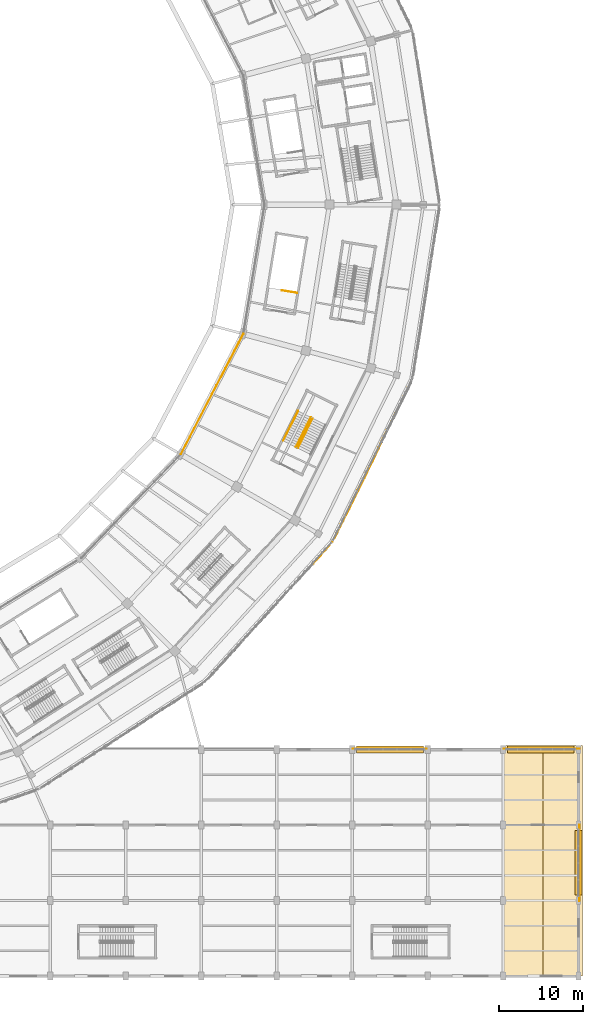
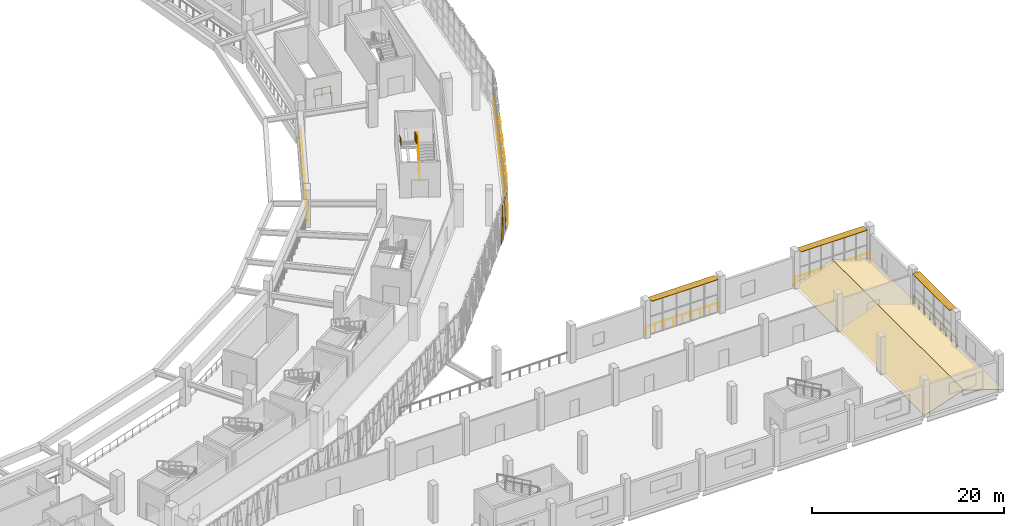
# One storey, part 151 of 179: 12 coverings, 9 railings, 3 shading devices.
"""IFC4 building model written with IfcOpenShell, lengths in metres."""

from ifc_helpers import new_model, si_unit, direction, frame, origin, origin_2d, place, context, subcontext, project, spatial, polyline, rectangle, circle, outline, extrude, material, layer, layer_set, type_object, element, save


model = new_model("IFC4")

# Units and contexts
model_context = context("Model", 3, precision=1e-05, world=origin(), true_north=direction((0.0, 1.0)))
body_context = subcontext(model_context, "Body", "Model", "MODEL_VIEW")
ifc_project = project(units=[si_unit("LENGTHUNIT", "METRE"), si_unit("AREAUNIT", "SQUARE_METRE"), si_unit("VOLUMEUNIT", "CUBIC_METRE"), si_unit("PLANEANGLEUNIT", "RADIAN"), si_unit("MASSUNIT", "GRAM", prefix="KILO")], contexts=[model_context])

# Site, building, storey
site_placement = place(None, origin())
site = spatial("IfcSite", under=ifc_project, at=site_placement, CompositionType="ELEMENT")
building_placement = place(site_placement, origin())
building = spatial("IfcBuilding", under=site, at=building_placement, Name="Zevraka Park Crest Stadium", CompositionType="ELEMENT")
storey_placement = place(building_placement, frame((0.0, 0.0, 10.199951171875)))
storey = spatial("IfcBuildingStorey", under=building, at=storey_placement, Name="L02", CompositionType="ELEMENT", Elevation=10.199951171875)

# Coverings
ifc_material_1 = material(Name="Architectural golden-bronze perforated aluminium", Category="aluminium")
ifc_layer_1 = layer(ifc_material_1, 0.034912109375)
ifc_layer_set_1 = layer_set([ifc_layer_1], Name="Architectural golden-bronze perforated aluminium")
covering_type_1 = type_object("IfcCoveringType", Name="CLD01", PredefinedType="CLADDING", material=ifc_layer_set_1)
covering_1_placement = place(storey_placement, frame((192.3740234375, 49.18994140625, -0.239990234375), z_axis=(-0.739174911283, 0.673513505732, 9.0147969e-05), x_axis=(0.673513508469, 0.739174914286, 0.0)))
element("IfcCovering", 1, at=covering_1_placement, inside=storey, type_object=covering_type_1, Name="Triangular Golden-Bronze Perforated Cladding L02-21-13", PredefinedType="CLADDING", context=body_context, shape_type="SweptSolid", body=[
    extrude(outline(polyline([(0.0, 0.0), (1.3868794307835661, -1.3552527156068805e-20), (0.6929885588278876, -4.560058612279015), (0.0, 0.0)])), origin(), (0.0, 0.0, -1.0), 0.034912109375),
])
covering_2_placement = place(storey_placement, frame((194.347900390625, 51.35791015625, 4.47998046875), z_axis=(0.739533407338, -0.673119854559, 2.8803588e-05), x_axis=(-0.673119854838, -0.739533407645, 0.0)))
element("IfcCovering", 2, at=covering_2_placement, inside=storey, type_object=covering_type_1, Name="Triangular Golden-Bronze Perforated Cladding L02-21-14", PredefinedType="CLADDING", context=body_context, shape_type="SweptSolid", body=[
    extrude(outline(polyline([(0.0, 0.0), (1.3858770045481603, 0.0), (0.6921665622222284, 4.260009767392152), (0.0, 0.0)])), origin(), (0.0, 0.0, -1.0), 0.034912109375),
])
covering_3_placement = place(storey_placement, frame((194.93896484375, 52.22607421875, -0.239990234375), z_axis=(0.897302423981, -0.441416274973, 0.000179183893), x_axis=(0.441416282059, 0.897302438386, 0.0)))
element("IfcCovering", 3, at=covering_3_placement, inside=storey, type_object=covering_type_1, Name="Triangular Golden-Bronze Perforated Cladding L02-22-1", PredefinedType="CLADDING", context=body_context, shape_type="SweptSolid", body=[
    extrude(outline(polyline([(0.0, 0.0), (1.4341488213161262, 0.0), (0.7173526614858992, 4.560058666954599), (0.0, 0.0)])), origin(), (0.0, 0.0, -1.0), 0.034912109375),
])
covering_4_placement = place(storey_placement, frame((196.27490234375, 54.945068359375, 4.47998046875), z_axis=(0.897535423701, -0.44094234614, 0.000102875285), x_axis=(-0.440942348473, -0.89753542845, 0.0)))
element("IfcCovering", 4, at=covering_4_placement, inside=storey, type_object=covering_type_1, Name="Triangular Golden-Bronze Perforated Cladding L02-22-2", PredefinedType="CLADDING", context=body_context, shape_type="SweptSolid", body=[
    extrude(outline(polyline([(0.0, 0.0), (1.4351365936876894, 0.0), (0.7173529929627545, 4.260009788167531), (0.0, 0.0)])), origin(), (0.0, 0.0, -1.0), 0.034912109375),
])
covering_5_placement = place(storey_placement, frame((196.345947265625, 55.087890625, -0.239990234375), z_axis=(-0.897737356227, 0.440531087049, 2.4031946e-05), x_axis=(0.440531087176, 0.897737356486, 0.0)))
element("IfcCovering", 5, at=covering_5_placement, inside=storey, type_object=covering_type_1, Name="Triangular Golden-Bronze Perforated Cladding L02-22-3", PredefinedType="CLADDING", context=body_context, shape_type="SweptSolid", body=[
    extrude(outline(polyline([(0.0, 0.0), (1.4348137884574985, 1.6940658945086007e-21), (0.7174606699962269, -4.560058595066796), (0.0, 0.0)])), origin(), (0.0, 0.0, -1.0), 0.034912109375),
])
covering_6_placement = place(storey_placement, frame((197.681884765625, 57.806884765625, 4.47998046875), z_axis=(-0.897369847481, 0.441279196484, 0.000166080445), x_axis=(-0.44127920257, -0.897369859857, 0.0)))
element("IfcCovering", 6, at=covering_6_placement, inside=storey, type_object=covering_type_1, Name="Triangular Golden-Bronze Perforated Cladding L02-22-4", PredefinedType="CLADDING", context=body_context, shape_type="SweptSolid", body=[
    extrude(outline(polyline([(0.0, 0.0), (1.4340410704018465, 0.0), (0.7166882924654494, -4.260009824376318), (0.0, 0.0)])), origin(), (0.0, 0.0, -1.0), 0.034912109375),
])
covering_7_placement = place(storey_placement, frame((197.751953125, 57.950927734375, -0.239990234375), z_axis=(-0.897468090966, 0.441079370712, 0.000120123687), x_axis=(0.441079373894, 0.897468097441, 0.0)))
element("IfcCovering", 7, at=covering_7_placement, inside=storey, type_object=covering_type_1, Name="Triangular Golden-Bronze Perforated Cladding L02-22-5", PredefinedType="CLADDING", context=body_context, shape_type="SweptSolid", body=[
    extrude(outline(polyline([(0.0, 0.0), (1.4352442623555979, 0.0), (0.7178913446628418, -4.56005862665014), (0.0, 0.0)])), origin(), (0.0, 0.0, -1.0), 0.034912109375),
])
covering_8_placement = place(storey_placement, frame((199.089111328125, 60.669921875, 4.47998046875), z_axis=(-0.897434989947, 0.441146716385, 0.000115938685), x_axis=(-0.44114671935, -0.897434995978, 0.0)))
element("IfcCovering", 8, at=covering_8_placement, inside=storey, type_object=covering_type_1, Name="Triangular Golden-Bronze Perforated Cladding L02-22-6", PredefinedType="CLADDING", context=body_context, shape_type="SweptSolid", body=[
    extrude(outline(polyline([(0.0, 0.0), (1.4350251579737685, 0.0), (0.7178913837467389, -4.260009794256054), (0.0, 0.0)])), origin(), (0.0, 0.0, -1.0), 0.034912109375),
])
covering_9_placement = place(storey_placement, frame((199.158935546875, 60.81396484375, -0.239990234375), z_axis=(-0.897335598181, 0.441348863066, 7.2847268e-05), x_axis=(0.441348864237, 0.897335600562, 0.0)))
element("IfcCovering", 9, at=covering_9_placement, inside=storey, type_object=covering_type_1, Name="Triangular Golden-Bronze Perforated Cladding L02-22-7", PredefinedType="CLADDING", context=body_context, shape_type="SweptSolid", body=[
    extrude(outline(polyline([(0.0, 0.0), (1.4343678933426742, 6.776263578034403e-21), (0.7178914767889439, -4.560058605849488), (0.0, 0.0)])), origin(), (0.0, 0.0, -1.0), 0.034912109375),
])
covering_10_placement = place(storey_placement, frame((200.4951171875, 63.532958984375, 4.47998046875), z_axis=(0.897434992361, -0.441146717572, 8.9788862e-05), x_axis=(-0.44114671935, -0.897434995978, 0.0)))
element("IfcCovering", 10, at=covering_10_placement, inside=storey, type_object=covering_type_1, Name="Triangular Golden-Bronze Perforated Cladding L02-22-8", PredefinedType="CLADDING", context=body_context, shape_type="SweptSolid", body=[
    extrude(outline(polyline([(0.0, 0.0), (1.4350251579737685, 0.0), (0.7174605764036235, 4.260009782797184), (0.0, 0.0)])), origin(), (0.0, 0.0, -1.0), 0.034912109375),
])

# Railings
ifc_material_2 = material(Name="Galvanised and bronze-finished steel balustrade", Category="steel")
railing_type_1 = type_object("IfcRailingType", Name="GR01", PredefinedType="GUARDRAIL", material=ifc_material_2)
railing_1_placement = place(storey_placement, frame((204.177978515625, 71.18603515625, 0.0)))
element("IfcRailing", 11, at=railing_1_placement, inside=storey, type_object=railing_type_1, Name="Deck Edge Protection Guardrail GR01 L02-23", PredefinedType="GUARDRAIL", context=body_context, shape_type="SweptSolid", body=[
    extrude(circle(Radius=0.02392578125, at=origin_2d()), frame((0.0, 0.0, 1.076171875), z_axis=(-0.441021229043, -0.8974966716, 0.0), x_axis=(0.8974966716, -0.441021229043, 0.0)), (0.0, 0.0, 1.0), 21.611328125),
    extrude(circle(Radius=0.02099609375, at=origin_2d()), origin(), (0.0, 0.0, 1.0), 1.052001953125),
    extrude(circle(Radius=0.02099609375, at=origin_2d()), frame((-0.501708984375, -1.020751953125, 0.0)), (0.0, 0.0, 1.0), 1.052001953125),
    extrude(circle(Radius=0.02099609375, at=origin_2d()), frame((-1.003173828125, -2.041748046875, 0.0)), (0.0, 0.0, 1.0), 1.052001953125),
    extrude(circle(Radius=0.02099609375, at=origin_2d()), frame((-1.5048828125, -3.0625, 0.0)), (0.0, 0.0, 1.0), 1.052001953125),
    extrude(circle(Radius=0.02099609375, at=origin_2d()), frame((-2.006591796875, -4.083251953125, 0.0)), (0.0, 0.0, 1.0), 1.052001953125),
    extrude(circle(Radius=0.02099609375, at=origin_2d()), frame((-2.508056640625, -5.104248046875, 0.0)), (0.0, 0.0, 1.0), 1.052001953125),
    extrude(circle(Radius=0.02099609375, at=origin_2d()), frame((-3.009765625, -6.125, 0.0)), (0.0, 0.0, 1.0), 1.052001953125),
    extrude(circle(Radius=0.02099609375, at=origin_2d()), frame((-3.511474609375, -7.14599609375, 0.0)), (0.0, 0.0, 1.0), 1.052001953125),
    extrude(circle(Radius=0.02099609375, at=origin_2d()), frame((-4.012939453125, -8.166748046875, 0.0)), (0.0, 0.0, 1.0), 1.052001953125),
    extrude(circle(Radius=0.02099609375, at=origin_2d()), frame((-4.5146484375, -9.1875, 0.0)), (0.0, 0.0, 1.0), 1.052001953125),
    extrude(circle(Radius=0.02099609375, at=origin_2d()), frame((-5.016357421875, -10.20849609375, 0.0)), (0.0, 0.0, 1.0), 1.052001953125),
    extrude(circle(Radius=0.02099609375, at=origin_2d()), frame((-5.51806640625, -11.229248046875, 0.0)), (0.0, 0.0, 1.0), 1.052001953125),
    extrude(circle(Radius=0.02099609375, at=origin_2d()), frame((-6.01953125, -12.25, 0.0)), (0.0, 0.0, 1.0), 1.052001953125),
    extrude(circle(Radius=0.02099609375, at=origin_2d()), frame((-6.521240234375, -13.27099609375, 0.0)), (0.0, 0.0, 1.0), 1.052001953125),
    extrude(circle(Radius=0.02099609375, at=origin_2d()), frame((-7.02294921875, -14.291748046875, 0.0)), (0.0, 0.0, 1.0), 1.052001953125),
    extrude(circle(Radius=0.02099609375, at=origin_2d()), frame((-7.5244140625, -15.312744140625, 0.0)), (0.0, 0.0, 1.0), 1.052001953125),
    extrude(circle(Radius=0.02099609375, at=origin_2d()), frame((-8.026123046875, -16.33349609375, 0.0)), (0.0, 0.0, 1.0), 1.052001953125),
    extrude(circle(Radius=0.02099609375, at=origin_2d()), frame((-8.52783203125, -17.354248046875, 0.0)), (0.0, 0.0, 1.0), 1.052001953125),
    extrude(circle(Radius=0.02099609375, at=origin_2d()), frame((-9.029296875, -18.375244140625, 0.0)), (0.0, 0.0, 1.0), 1.052001953125),
    extrude(circle(Radius=0.02099609375, at=origin_2d()), frame((-9.531005859375, -19.39599609375, 0.0)), (0.0, 0.0, 1.0), 1.052001953125),
])
railing_2_placement = place(storey_placement, frame((197.115966796875, 27.10498046875, 0.0)))
element("IfcRailing", 12, at=railing_2_placement, inside=storey, type_object=railing_type_1, Name="Deck Edge Protection Guardrail GR01 L02-27", PredefinedType="GUARDRAIL", context=body_context, shape_type="SweptSolid", body=[
    extrude(circle(Radius=0.02392578125, at=origin_2d()), frame((0.0, 0.0, 1.076171875), z_axis=(1.0, 0.0, 0.0), x_axis=(0.0, 1.0, 0.0)), (0.0, 0.0, 1.0), 8.76806640625),
    extrude(circle(Radius=0.02099609375, at=origin_2d()), origin(), (0.0, 0.0, 1.0), 1.052001953125),
    extrude(circle(Radius=0.02099609375, at=origin_2d()), frame((1.095947265625, 0.0, 0.0)), (0.0, 0.0, 1.0), 1.052001953125),
    extrude(circle(Radius=0.02099609375, at=origin_2d()), frame((2.19189453125, 0.0, 0.0)), (0.0, 0.0, 1.0), 1.052001953125),
    extrude(circle(Radius=0.02099609375, at=origin_2d()), frame((3.2880859375, 0.0, 0.0)), (0.0, 0.0, 1.0), 1.052001953125),
    extrude(circle(Radius=0.02099609375, at=origin_2d()), frame((4.384033203125, 0.0, 0.0)), (0.0, 0.0, 1.0), 1.052001953125),
    extrude(circle(Radius=0.02099609375, at=origin_2d()), frame((5.47998046875, 0.0, 0.0)), (0.0, 0.0, 1.0), 1.052001953125),
    extrude(circle(Radius=0.02099609375, at=origin_2d()), frame((6.576171875, 0.0, 0.0)), (0.0, 0.0, 1.0), 1.052001953125),
    extrude(circle(Radius=0.02099609375, at=origin_2d()), frame((7.672119140625, 0.0, 0.0)), (0.0, 0.0, 1.0), 1.052001953125),
    extrude(circle(Radius=0.02099609375, at=origin_2d()), frame((8.76806640625, 0.0, 0.0)), (0.0, 0.0, 1.0), 1.052001953125),
])
railing_3_placement = place(storey_placement, frame((215.115966796875, 27.10498046875, 0.0)))
element("IfcRailing", 13, at=railing_3_placement, inside=storey, type_object=railing_type_1, Name="Deck Edge Protection Guardrail GR01 L02-28", PredefinedType="GUARDRAIL", context=body_context, shape_type="SweptSolid", body=[
    extrude(circle(Radius=0.02392578125, at=origin_2d()), frame((0.0, 0.0, 1.076171875), z_axis=(1.0, 0.0, 0.0), x_axis=(0.0, 1.0, 0.0)), (0.0, 0.0, 1.0), 8.989013671875),
    extrude(circle(Radius=0.02099609375, at=origin_2d()), origin(), (0.0, 0.0, 1.0), 1.052001953125),
    extrude(circle(Radius=0.02099609375, at=origin_2d()), frame((1.12353515625, 0.0, 0.0)), (0.0, 0.0, 1.0), 1.052001953125),
    extrude(circle(Radius=0.02099609375, at=origin_2d()), frame((2.247314453125, 0.0, 0.0)), (0.0, 0.0, 1.0), 1.052001953125),
    extrude(circle(Radius=0.02099609375, at=origin_2d()), frame((3.370849609375, 0.0, 0.0)), (0.0, 0.0, 1.0), 1.052001953125),
    extrude(circle(Radius=0.02099609375, at=origin_2d()), frame((4.49462890625, 0.0, 0.0)), (0.0, 0.0, 1.0), 1.052001953125),
    extrude(circle(Radius=0.02099609375, at=origin_2d()), frame((5.6181640625, 0.0, 0.0)), (0.0, 0.0, 1.0), 1.052001953125),
    extrude(circle(Radius=0.02099609375, at=origin_2d()), frame((6.74169921875, 0.0, 0.0)), (0.0, 0.0, 1.0), 1.052001953125),
    extrude(circle(Radius=0.02099609375, at=origin_2d()), frame((7.865478515625, 0.0, 0.0)), (0.0, 0.0, 1.0), 1.052001953125),
    extrude(circle(Radius=0.02099609375, at=origin_2d()), frame((8.989013671875, 0.0, 0.0)), (0.0, 0.0, 1.0), 1.052001953125),
])
railing_4_placement = place(storey_placement, frame((224.10498046875, 18.033935546875, 0.0)))
element("IfcRailing", 14, at=railing_4_placement, inside=storey, type_object=railing_type_1, Name="Deck Edge Protection Guardrail GR01 L02-29", PredefinedType="GUARDRAIL", context=body_context, shape_type="SweptSolid", body=[
    extrude(circle(Radius=0.02392578125, at=origin_2d()), frame((0.0, 0.0, 1.076171875), z_axis=(0.0, -1.0, 0.0), x_axis=(1.0, 0.0, 0.0)), (0.0, 0.0, 1.0), 9.06787109375),
    extrude(circle(Radius=0.02099609375, at=origin_2d()), origin(), (0.0, 0.0, 1.0), 1.052001953125),
    extrude(circle(Radius=0.02099609375, at=origin_2d()), frame((0.0, -1.133544921875, 0.0)), (0.0, 0.0, 1.0), 1.052001953125),
    extrude(circle(Radius=0.02099609375, at=origin_2d()), frame((0.0, -2.26708984375, 0.0)), (0.0, 0.0, 1.0), 1.052001953125),
    extrude(circle(Radius=0.02099609375, at=origin_2d()), frame((0.0, -3.400390625, 0.0)), (0.0, 0.0, 1.0), 1.052001953125),
    extrude(circle(Radius=0.02099609375, at=origin_2d()), frame((0.0, -4.533935546875, 0.0)), (0.0, 0.0, 1.0), 1.052001953125),
    extrude(circle(Radius=0.02099609375, at=origin_2d()), frame((0.0, -5.66748046875, 0.0)), (0.0, 0.0, 1.0), 1.052001953125),
    extrude(circle(Radius=0.02099609375, at=origin_2d()), frame((0.0, -6.80078125, 0.0)), (0.0, 0.0, 1.0), 1.052001953125),
    extrude(circle(Radius=0.02099609375, at=origin_2d()), frame((0.0, -7.934326171875, 0.0)), (0.0, 0.0, 1.0), 1.052001953125),
    extrude(circle(Radius=0.02099609375, at=origin_2d()), frame((0.0, -9.06787109375, 0.0)), (0.0, 0.0, 1.0), 1.052001953125),
])
railing_5_placement = place(storey_placement, frame((176.5849609375, 62.22509765625, 0.0)))
element("IfcRailing", 15, at=railing_5_placement, inside=storey, type_object=railing_type_1, Name="Deck Edge Protection Guardrail GR01 L02-61", PredefinedType="GUARDRAIL", context=body_context, shape_type="SweptSolid", body=[
    extrude(circle(Radius=0.02392578125, at=origin_2d()), frame((0.0, 0.0, 1.076171875), z_axis=(0.460329508595, 0.887748130675, 0.0), x_axis=(-0.887748130675, 0.460329508595, 0.0)), (0.0, 0.0, 1.0), 16.164306640625),
    extrude(circle(Radius=0.02099609375, at=origin_2d()), origin(), (0.0, 0.0, 1.0), 1.052001953125),
    extrude(circle(Radius=0.02099609375, at=origin_2d()), frame((0.531494140625, 1.02490234375, 0.0)), (0.0, 0.0, 1.0), 1.052001953125),
    extrude(circle(Radius=0.02099609375, at=origin_2d()), frame((1.06298828125, 2.050048828125, 0.0)), (0.0, 0.0, 1.0), 1.052001953125),
    extrude(circle(Radius=0.02099609375, at=origin_2d()), frame((1.594482421875, 3.074951171875, 0.0)), (0.0, 0.0, 1.0), 1.052001953125),
    extrude(circle(Radius=0.02099609375, at=origin_2d()), frame((2.1259765625, 4.099853515625, 0.0)), (0.0, 0.0, 1.0), 1.052001953125),
    extrude(circle(Radius=0.02099609375, at=origin_2d()), frame((2.657470703125, 5.125, 0.0)), (0.0, 0.0, 1.0), 1.052001953125),
    extrude(circle(Radius=0.02099609375, at=origin_2d()), frame((3.18896484375, 6.14990234375, 0.0)), (0.0, 0.0, 1.0), 1.052001953125),
    extrude(circle(Radius=0.02099609375, at=origin_2d()), frame((3.720458984375, 7.1748046875, 0.0)), (0.0, 0.0, 1.0), 1.052001953125),
    extrude(circle(Radius=0.02099609375, at=origin_2d()), frame((4.251953125, 8.199951171875, 0.0)), (0.0, 0.0, 1.0), 1.052001953125),
    extrude(circle(Radius=0.02099609375, at=origin_2d()), frame((4.783447265625, 9.224853515625, 0.0)), (0.0, 0.0, 1.0), 1.052001953125),
    extrude(circle(Radius=0.02099609375, at=origin_2d()), frame((5.31494140625, 10.25, 0.0)), (0.0, 0.0, 1.0), 1.052001953125),
    extrude(circle(Radius=0.02099609375, at=origin_2d()), frame((5.846435546875, 11.27490234375, 0.0)), (0.0, 0.0, 1.0), 1.052001953125),
    extrude(circle(Radius=0.02099609375, at=origin_2d()), frame((6.3779296875, 12.2998046875, 0.0)), (0.0, 0.0, 1.0), 1.052001953125),
    extrude(circle(Radius=0.02099609375, at=origin_2d()), frame((6.909423828125, 13.324951171875, 0.0)), (0.0, 0.0, 1.0), 1.052001953125),
    extrude(circle(Radius=0.02099609375, at=origin_2d()), frame((7.44091796875, 14.349853515625, 0.0)), (0.0, 0.0, 1.0), 1.052001953125),
])
ifc_material_3 = material(Name="Powder-coated tubular steel stairwell guard", Category="steel")
railing_type_2 = type_object("IfcRailingType", Name="GR03", PredefinedType="GUARDRAIL", material=ifc_material_3)
railing_6_placement = place(storey_placement, frame((190.5322265625, 62.965087890625, 0.17138671875)))
element("IfcRailing", 16, at=railing_6_placement, inside=storey, type_object=railing_type_2, Name="L02 ST23 stair guard 1", PredefinedType="GUARDRAIL", context=body_context, shape_type="SweptSolid", body=[
    extrude(circle(Radius=0.02392578125, at=origin_2d()), frame((0.0, 0.0, 1.076171875), z_axis=(0.390443708506, 0.77938447175, 0.490013832135), x_axis=(-0.894082100069, 0.447903112666, 0.0)), (0.0, 0.0, 1.0), 4.54833984375),
    extrude(circle(Radius=0.02099609375, at=origin_2d()), origin(), (0.0, 0.0, 1.0), 1.052001953125),
    extrude(circle(Radius=0.02099609375, at=origin_2d()), frame((0.44384765625, 0.88623046875, 0.55712890625)), (0.0, 0.0, 1.0), 1.052001953125),
    extrude(circle(Radius=0.02099609375, at=origin_2d()), frame((0.887939453125, 1.7724609375, 1.1142578125)), (0.0, 0.0, 1.0), 1.052001953125),
    extrude(circle(Radius=0.02099609375, at=origin_2d()), frame((1.33203125, 2.65869140625, 1.671630859375)), (0.0, 0.0, 1.0), 1.052001953125),
    extrude(circle(Radius=0.02099609375, at=origin_2d()), frame((1.77587890625, 3.544921875, 2.228759765625)), (0.0, 0.0, 1.0), 1.052001953125),
])
railing_7_placement = place(storey_placement, frame((192.07568359375, 66.62646484375, 2.571533203125)))
element("IfcRailing", 17, at=railing_7_placement, inside=storey, type_object=railing_type_2, Name="L02 ST23 stair guard 3", PredefinedType="GUARDRAIL", context=body_context, shape_type="SweptSolid", body=[
    extrude(circle(Radius=0.02392578125, at=origin_2d()), frame((0.0, 0.0, 1.076171875), z_axis=(-0.39045397791, -0.779404971028, 0.489973042393), x_axis=(0.894082100069, -0.447903112666, 0.0)), (0.0, 0.0, 1.0), 4.54833984375),
    extrude(circle(Radius=0.02099609375, at=origin_2d()), origin(), (0.0, 0.0, 1.0), 1.052001953125),
    extrude(circle(Radius=0.02099609375, at=origin_2d()), frame((-0.44384765625, -0.88623046875, 0.55712890625)), (0.0, 0.0, 1.0), 1.052001953125),
    extrude(circle(Radius=0.02099609375, at=origin_2d()), frame((-0.887939453125, -1.7724609375, 1.1142578125)), (0.0, 0.0, 1.0), 1.052001953125),
    extrude(circle(Radius=0.02099609375, at=origin_2d()), frame((-1.33203125, -2.65869140625, 1.67138671875)), (0.0, 0.0, 1.0), 1.052001953125),
    extrude(circle(Radius=0.02099609375, at=origin_2d()), frame((-1.77587890625, -3.544921875, 2.228515625)), (0.0, 0.0, 1.0), 1.052001953125),
])
railing_8_placement = place(storey_placement, frame((190.437744140625, 81.46875, 0.0)))
element("IfcRailing", 18, at=railing_8_placement, inside=storey, type_object=railing_type_2, Name="L02 ST44 top well guard 1", PredefinedType="GUARDRAIL", context=body_context, shape_type="SweptSolid", body=[
    extrude(circle(Radius=0.02392578125, at=origin_2d()), frame((0.0, 0.0, 1.076171875), z_axis=(-0.986992343075, 0.160767268782, 0.0), x_axis=(-0.160767268782, -0.986992343075, 0.0)), (0.0, 0.0, 1.0), 1.81005859375),
    extrude(circle(Radius=0.02099609375, at=origin_2d()), origin(), (0.0, 0.0, 1.0), 1.052001953125),
    extrude(circle(Radius=0.02099609375, at=origin_2d()), frame((-0.893310546875, 0.1455078125, 0.0)), (0.0, 0.0, 1.0), 1.052001953125),
    extrude(circle(Radius=0.02099609375, at=origin_2d()), frame((-1.78662109375, 0.291015625, 0.0)), (0.0, 0.0, 1.0), 1.052001953125),
])
ifc_material_4 = material(Name="Brushed stainless steel continuous handrail", Category="steel")
railing_type_3 = type_object("IfcRailingType", Name="HR01", PredefinedType="HANDRAIL", material=ifc_material_4)
railing_9_placement = place(storey_placement, frame((190.5556640625, 67.387939453125, 2.571533203125)))
element("IfcRailing", 19, at=railing_9_placement, inside=storey, type_object=railing_type_3, Name="L02 ST23 stair handrail 2", PredefinedType="HANDRAIL", context=body_context, shape_type="SweptSolid", body=[
    extrude(circle(Radius=0.02392578125, at=origin_2d()), frame((0.0, 0.0, 0.8759765625), z_axis=(-0.39045397791, -0.779404971028, 0.489973042393), x_axis=(0.894082100069, -0.447903112666, 0.0)), (0.0, 0.0, 1.0), 4.54833984375),
    extrude(circle(Radius=0.02099609375, at=origin_2d()), origin(), (0.0, 0.0, 1.0), 0.851806640625),
    extrude(circle(Radius=0.02099609375, at=origin_2d()), frame((-0.44384765625, -0.88623046875, 0.55712890625)), (0.0, 0.0, 1.0), 0.851806640625),
    extrude(circle(Radius=0.02099609375, at=origin_2d()), frame((-0.887939453125, -1.7724609375, 1.1142578125)), (0.0, 0.0, 1.0), 0.851806640625),
    extrude(circle(Radius=0.02099609375, at=origin_2d()), frame((-1.33203125, -2.65869140625, 1.67138671875)), (0.0, 0.0, 1.0), 0.851806640625),
    extrude(circle(Radius=0.02099609375, at=origin_2d()), frame((-1.77587890625, -3.544921875, 2.228515625)), (0.0, 0.0, 1.0), 0.851806640625),
])

# Coverings
ifc_material_5 = material(Name="Insulated standing-seam acoustic aluminium roofing", Category="aluminium")
ifc_layer_2 = layer(ifc_material_5, 0.06005859375)
ifc_layer_set_2 = layer_set([ifc_layer_2], Name="Insulated standing-seam acoustic aluminium roofing")
covering_type_2 = type_object("IfcCoveringType", Name="RCV01", PredefinedType="ROOFING", material=ifc_layer_set_2)
for number, where, z_axis, x_axis, name in (
    (20, (215.0, 27.5, -0.08984375), (-0.319192621842, 0.0, 0.947689859691), (0.0, -1.0, 0.0), "Pavilion Wide-Eave Standing-Seam Roofing SW-STEP-ROOF-W"),
    (21, (224.5, 0.0, -0.08984375), (0.319192621842, 0.0, 0.947689859691), (0.0, 1.0, 0.0), "Pavilion Wide-Eave Standing-Seam Roofing SW-STEP-ROOF-E"),
):
    element("IfcCovering", number, at=place(storey_placement, frame(where, z_axis=z_axis, x_axis=x_axis)), inside=storey, type_object=covering_type_2, Name=name, PredefinedType="ROOFING", context=body_context, shape_type="SweptSolid", body=[
        extrude(outline(polyline([(0.0, 0.0), (27.5, 0.0), (27.5, 5.012188271748944), (0.0, 5.012188271748944), (0.0, 0.0)])), origin(), (0.0, 0.0, -1.0), 0.06005859375),
    ])

# Shading devices
ifc_material_6 = material(Name="Architectural golden-bronze anodised bronze", Category="aluminium")
ifc_layer_3 = layer(ifc_material_6, 0.06005859375)
ifc_layer_set_3 = layer_set([ifc_layer_3], Name="Architectural golden-bronze anodised bronze")
shading_device_type = type_object("IfcShadingDeviceType", Name="SHD01", PredefinedType="USERDEFINED", material=ifc_layer_set_3)
shading_device_placement = place(storey_placement, frame((224.0, 13.5, 4.419921875), z_axis=(0.0, 0.0, 1.0), x_axis=(0.0, -1.0, 0.0)))
element("IfcShadingDevice", 22, at=shading_device_placement, inside=storey, type_object=shading_device_type, Name="Wing Bronze Solar Screen SHD01 L02-SE-E-2", ObjectType="SOLAR SCREEN", PredefinedType="USERDEFINED", context=body_context, shape_type="SweptSolid", body=[
    extrude(rectangle(XDim=7.669921875, YDim=0.85009765625, at=origin_2d()), origin(), (0.0, 0.0, 1.0), 0.06005859375),
])
for number, where, z_axis, x_axis, name in (
    (23, (201.5, 27.0, 4.419921875), (0.0, 0.0, 1.0), (1.0, 0.0, 0.0), "Wing Bronze Solar Screen SHD01 L02-SE-N-2"),
    (24, (219.5, 27.0, 4.419921875), (0.0, 0.0, 1.0), (1.0, 0.0, 0.0), "Wing Bronze Solar Screen SHD01 L02-SE-N-4"),
):
    element("IfcShadingDevice", number, at=place(storey_placement, frame(where, z_axis=z_axis, x_axis=x_axis)), inside=storey, type_object=shading_device_type, Name=name, ObjectType="SOLAR SCREEN", PredefinedType="USERDEFINED", context=body_context, shape_type="SweptSolid", body=[
        extrude(rectangle(XDim=7.969970703125, YDim=0.85009765625, at=origin_2d()), origin(), (0.0, 0.0, 1.0), 0.06005859375),
    ])

save(model, "model.ifc")
